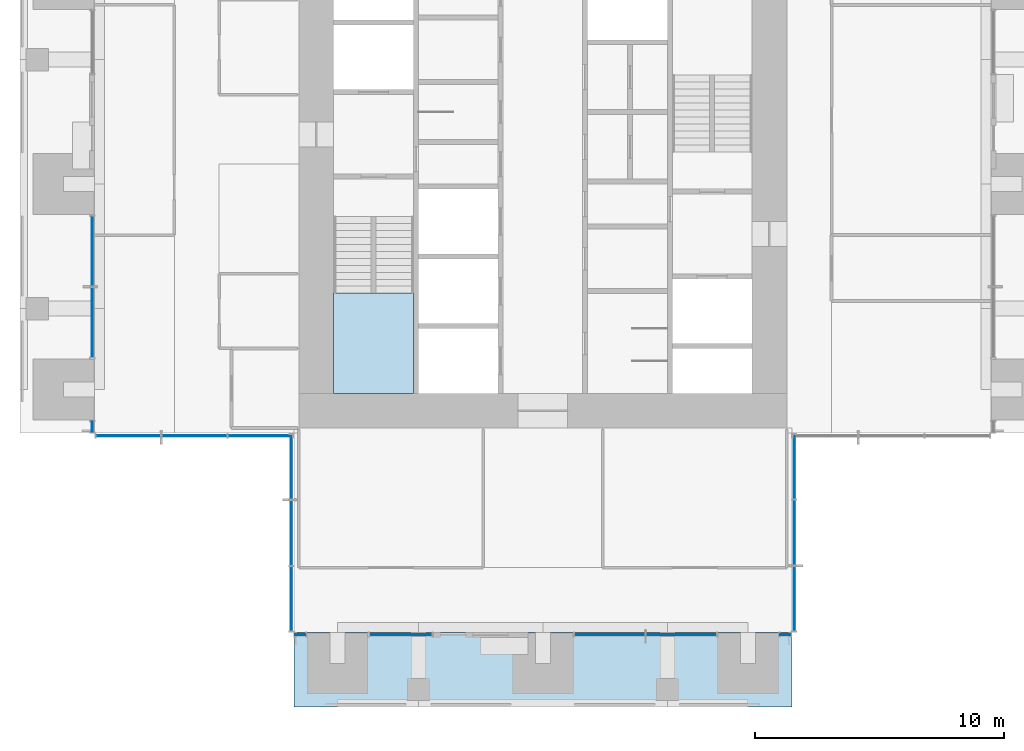
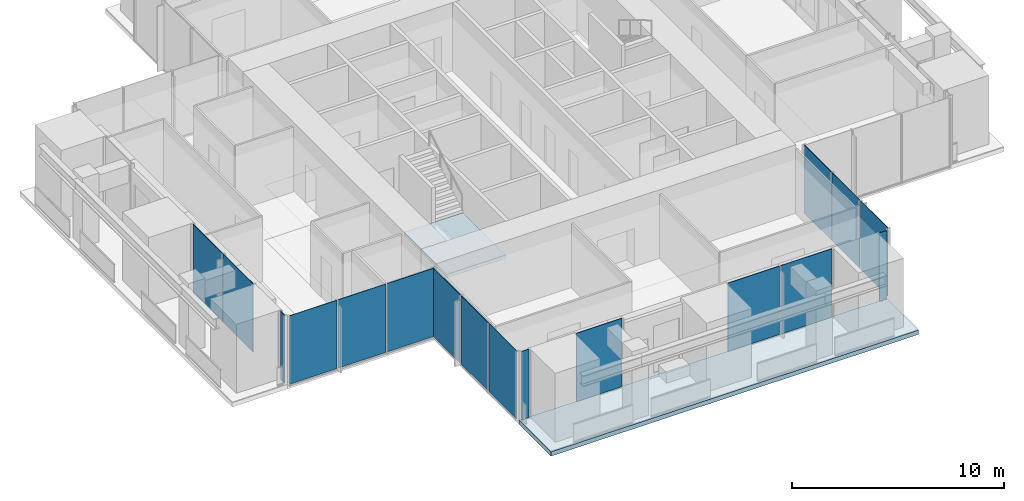
# One storey, part 7 of 17: 17 plates, 2 slabs, 10 elements without a shape of their own.
"""IFC4 building model written with IfcOpenShell, lengths in metres."""

from ifc_helpers import new_model, si_unit, direction, frame, origin, origin_2d, place, context, subcontext, project, spatial, polyline, rectangle, outline, extrude, material, layer, layer_set, type_object, element, aggregate, save


model = new_model("IFC4")

# Units and contexts
model_context = context("Model", 3, precision=1e-05, world=origin(), true_north=direction((0.0, 1.0)))
body_context = subcontext(model_context, "Body", "Model", "MODEL_VIEW")
ifc_project = project(units=[si_unit("LENGTHUNIT", "METRE"), si_unit("AREAUNIT", "SQUARE_METRE"), si_unit("VOLUMEUNIT", "CUBIC_METRE"), si_unit("PLANEANGLEUNIT", "RADIAN"), si_unit("MASSUNIT", "GRAM", prefix="KILO")], contexts=[model_context])

# Site, building, storey
site_placement = place(None, origin())
site = spatial("IfcSite", under=ifc_project, at=site_placement, CompositionType="ELEMENT")
building_placement = place(site_placement, origin())
building = spatial("IfcBuilding", under=site, at=building_placement, Name="Svetlomir Tower", CompositionType="ELEMENT")
storey_placement = place(building_placement, frame((0.0, 0.0, 214.5)))
storey = spatial("IfcBuildingStorey", under=building, at=storey_placement, Name="L51", CompositionType="ELEMENT", Elevation=214.5)

# Curtain wall, plate
ifc_material_1 = material(Name="Bronze anodised aluminium curtain wall", Category="aluminium")
curtain_wall_type = type_object("IfcCurtainWallType", Name="CURTAIN WALL CW1 TOWER OFFICE", PredefinedType="NOTDEFINED", material=ifc_material_1)
curtain_wall_1_placement = place(storey_placement, origin())
curtain_wall_1 = element("IfcCurtainWall", 1, at=curtain_wall_1_placement, inside=storey, type_object=curtain_wall_type, Name="Curtain wall CW1 L51", PredefinedType="NOTDEFINED")
ifc_material_2 = material(Name="Tinted double glazed unit", Category="glass")
ifc_layer_1 = layer(ifc_material_2, 0.031982421875)
ifc_layer_set_1 = layer_set([ifc_layer_1], Name="Tinted double glazed unit")
plate_type = type_object("IfcPlateType", Name="CW1 GLAZED PANEL 32", PredefinedType="CURTAIN_PANEL", material=ifc_layer_set_1)
plate_1_placement = place(storey_placement, frame((11.262451171875, 2.89990234375, 0.06494140625), z_axis=(0.0, 0.0, 1.0), x_axis=(1.0, 0.0, 0.0)))
plate_1 = element("IfcPlate", 2, at=plate_1_placement, type_object=plate_type, Name="CW1 panel 1.1", PredefinedType="CURTAIN_PANEL", context=body_context, shape_type="SweptSolid", body=[
    extrude(rectangle(XDim=0.39501953125, YDim=0.031982421875, at=origin_2d()), origin(), (0.0, 0.0, 1.0), 3.93505859375),
])
aggregate(curtain_wall_1, [plate_1])

curtain_wall_2_placement = place(storey_placement, origin())
curtain_wall_2 = element("IfcCurtainWall", 3, at=curtain_wall_2_placement, inside=storey, type_object=curtain_wall_type, Name="Curtain wall CW1 L51", PredefinedType="NOTDEFINED")
plate_2_placement = place(storey_placement, frame((15.28759765625, 2.89990234375, 0.06494140625), z_axis=(0.0, 0.0, 1.0), x_axis=(1.0, 0.0, 0.0)))
plate_2 = element("IfcPlate", 4, at=plate_2_placement, type_object=plate_type, Name="CW1 panel 1.1", PredefinedType="CURTAIN_PANEL", context=body_context, shape_type="SweptSolid", body=[
    extrude(rectangle(XDim=2.4951171875, YDim=0.031982421875, at=origin_2d()), origin(), (0.0, 0.0, 1.0), 3.93505859375),
])
aggregate(curtain_wall_2, [plate_2])

# Curtain wall, plates
curtain_wall_3_placement = place(storey_placement, origin())
curtain_wall_3 = element("IfcCurtainWall", 5, at=curtain_wall_3_placement, inside=storey, type_object=curtain_wall_type, Name="Curtain wall CW1 L51", PredefinedType="NOTDEFINED")
plate_3_placement = place(storey_placement, frame((23.691162109375, 2.89990234375, 0.06494140625), z_axis=(0.0, 0.0, 1.0), x_axis=(1.0, 0.0, 0.0)))
plate_3 = element("IfcPlate", 6, at=plate_3_placement, type_object=plate_type, Name="CW1 panel 1.1", PredefinedType="CURTAIN_PANEL", context=body_context, shape_type="SweptSolid", body=[
    extrude(rectangle(XDim=2.802490234375, YDim=0.031982421875, at=origin_2d()), origin(), (0.0, 0.0, 1.0), 3.93505859375),
])
plate_4_placement = place(storey_placement, frame((26.558837890625, 2.89990234375, 0.06494140625), z_axis=(0.0, 0.0, 1.0), x_axis=(1.0, 0.0, 0.0)))
plate_4 = element("IfcPlate", 7, at=plate_4_placement, type_object=plate_type, Name="CW1 panel 2.1", PredefinedType="CURTAIN_PANEL", context=body_context, shape_type="SweptSolid", body=[
    extrude(rectangle(XDim=2.802490234375, YDim=0.031982421875, at=origin_2d()), origin(), (0.0, 0.0, 1.0), 3.93505859375),
])
aggregate(curtain_wall_3, [plate_3, plate_4])

# Curtain wall, plate
curtain_wall_4_placement = place(storey_placement, origin())
curtain_wall_4 = element("IfcCurtainWall", 8, at=curtain_wall_4_placement, inside=storey, type_object=curtain_wall_type, Name="Curtain wall CW1 L51", PredefinedType="NOTDEFINED")
plate_5_placement = place(storey_placement, frame((30.737548828125, 2.89990234375, 0.06494140625), z_axis=(0.0, 0.0, 1.0), x_axis=(1.0, 0.0, 0.0)))
plate_5 = element("IfcPlate", 9, at=plate_5_placement, type_object=plate_type, Name="CW1 panel 1.1", PredefinedType="CURTAIN_PANEL", context=body_context, shape_type="SweptSolid", body=[
    extrude(rectangle(XDim=0.39501953125, YDim=0.031982421875, at=origin_2d()), origin(), (0.0, 0.0, 1.0), 3.93505859375),
])
aggregate(curtain_wall_4, [plate_5])

# Curtain wall, plates
curtain_wall_5_placement = place(storey_placement, origin())
curtain_wall_5 = element("IfcCurtainWall", 10, at=curtain_wall_5_placement, inside=storey, type_object=curtain_wall_type, Name="Curtain wall CW1 L51", PredefinedType="NOTDEFINED")
plate_6_placement = place(storey_placement, frame((31.10009765625, 4.349609375, 0.06494140625), z_axis=(0.0, 0.0, 1.0), x_axis=(0.0, 1.0, 0.0)))
plate_6 = element("IfcPlate", 11, at=plate_6_placement, type_object=plate_type, Name="CW1 panel 1.1", PredefinedType="CURTAIN_PANEL", context=body_context, shape_type="SweptSolid", body=[
    extrude(rectangle(XDim=2.569091796875, YDim=0.031982421875, at=origin_2d()), origin(), (0.0, 0.0, 1.0), 3.93505859375),
])
plate_7_placement = place(storey_placement, frame((31.10009765625, 7.0, 0.06494140625), z_axis=(0.0, 0.0, 1.0), x_axis=(0.0, 1.0, 0.0)))
plate_7 = element("IfcPlate", 12, at=plate_7_placement, type_object=plate_type, Name="CW1 panel 2.1", PredefinedType="CURTAIN_PANEL", context=body_context, shape_type="SweptSolid", body=[
    extrude(rectangle(XDim=2.6015625, YDim=0.031982421875, at=origin_2d()), origin(), (0.0, 0.0, 1.0), 3.93505859375),
])
plate_8_placement = place(storey_placement, frame((31.10009765625, 9.650390625, 0.06494140625), z_axis=(0.0, 0.0, 1.0), x_axis=(0.0, 1.0, 0.0)))
plate_8 = element("IfcPlate", 13, at=plate_8_placement, type_object=plate_type, Name="CW1 panel 3.1", PredefinedType="CURTAIN_PANEL", context=body_context, shape_type="SweptSolid", body=[
    extrude(rectangle(XDim=2.569091796875, YDim=0.031982421875, at=origin_2d()), origin(), (0.0, 0.0, 1.0), 3.93505859375),
])
aggregate(curtain_wall_5, [plate_6, plate_7, plate_8])

curtain_wall_6_placement = place(storey_placement, origin())
curtain_wall_6 = element("IfcCurtainWall", 14, at=curtain_wall_6_placement, inside=storey, type_object=curtain_wall_type, Name="Curtain wall CW1 L51", PredefinedType="NOTDEFINED")
plate_9_placement = place(storey_placement, frame((2.89990234375, 18.308837890625, 0.06494140625), z_axis=(0.0, 0.0, 1.0), x_axis=(0.0, -1.0, 0.0)))
plate_9 = element("IfcPlate", 15, at=plate_9_placement, type_object=plate_type, Name="CW1 panel 1.1", PredefinedType="CURTAIN_PANEL", context=body_context, shape_type="SweptSolid", body=[
    extrude(rectangle(XDim=2.802490234375, YDim=0.031982421875, at=origin_2d()), origin(), (0.0, 0.0, 1.0), 3.93505859375),
])
plate_10_placement = place(storey_placement, frame((2.89990234375, 15.441162109375, 0.06494140625), z_axis=(0.0, 0.0, 1.0), x_axis=(0.0, -1.0, 0.0)))
plate_10 = element("IfcPlate", 16, at=plate_10_placement, type_object=plate_type, Name="CW1 panel 2.1", PredefinedType="CURTAIN_PANEL", context=body_context, shape_type="SweptSolid", body=[
    extrude(rectangle(XDim=2.802490234375, YDim=0.031982421875, at=origin_2d()), origin(), (0.0, 0.0, 1.0), 3.93505859375),
])
aggregate(curtain_wall_6, [plate_9, plate_10])

# Curtain wall, plate
curtain_wall_7_placement = place(storey_placement, origin())
curtain_wall_7 = element("IfcCurtainWall", 17, at=curtain_wall_7_placement, inside=storey, type_object=curtain_wall_type, Name="Curtain wall CW1 L51", PredefinedType="NOTDEFINED")
plate_11_placement = place(storey_placement, frame((2.89990234375, 11.262451171875, 0.06494140625), z_axis=(0.0, 0.0, 1.0), x_axis=(0.0, -1.0, 0.0)))
plate_11 = element("IfcPlate", 18, at=plate_11_placement, type_object=plate_type, Name="CW1 panel 1.1", PredefinedType="CURTAIN_PANEL", context=body_context, shape_type="SweptSolid", body=[
    extrude(rectangle(XDim=0.39501953125, YDim=0.031982421875, at=origin_2d()), origin(), (0.0, 0.0, 1.0), 3.93505859375),
])
aggregate(curtain_wall_7, [plate_11])

# Curtain wall, plates
curtain_wall_8_placement = place(storey_placement, origin())
curtain_wall_8 = element("IfcCurtainWall", 19, at=curtain_wall_8_placement, inside=storey, type_object=curtain_wall_type, Name="Curtain wall CW1 L51", PredefinedType="NOTDEFINED")
plate_12_placement = place(storey_placement, frame((4.349609375, 10.89990234375, 0.06494140625), z_axis=(0.0, 0.0, 1.0), x_axis=(1.0, 0.0, 0.0)))
plate_12 = element("IfcPlate", 20, at=plate_12_placement, type_object=plate_type, Name="CW1 panel 1.1", PredefinedType="CURTAIN_PANEL", context=body_context, shape_type="SweptSolid", body=[
    extrude(rectangle(XDim=2.569091796875, YDim=0.031982421875, at=origin_2d()), origin(), (0.0, 0.0, 1.0), 3.93505859375),
])
plate_13_placement = place(storey_placement, frame((7.0, 10.89990234375, 0.06494140625), z_axis=(0.0, 0.0, 1.0), x_axis=(1.0, 0.0, 0.0)))
plate_13 = element("IfcPlate", 21, at=plate_13_placement, type_object=plate_type, Name="CW1 panel 2.1", PredefinedType="CURTAIN_PANEL", context=body_context, shape_type="SweptSolid", body=[
    extrude(rectangle(XDim=2.6015625, YDim=0.031982421875, at=origin_2d()), origin(), (0.0, 0.0, 1.0), 3.93505859375),
])
plate_14_placement = place(storey_placement, frame((9.650390625, 10.89990234375, 0.06494140625), z_axis=(0.0, 0.0, 1.0), x_axis=(1.0, 0.0, 0.0)))
plate_14 = element("IfcPlate", 22, at=plate_14_placement, type_object=plate_type, Name="CW1 panel 3.1", PredefinedType="CURTAIN_PANEL", context=body_context, shape_type="SweptSolid", body=[
    extrude(rectangle(XDim=2.569091796875, YDim=0.031982421875, at=origin_2d()), origin(), (0.0, 0.0, 1.0), 3.93505859375),
])
aggregate(curtain_wall_8, [plate_12, plate_13, plate_14])

curtain_wall_9_placement = place(storey_placement, origin())
curtain_wall_9 = element("IfcCurtainWall", 23, at=curtain_wall_9_placement, inside=storey, type_object=curtain_wall_type, Name="Curtain wall CW1 L51", PredefinedType="NOTDEFINED")
plate_15_placement = place(storey_placement, frame((10.89990234375, 9.650390625, 0.06494140625), z_axis=(0.0, 0.0, 1.0), x_axis=(0.0, -1.0, 0.0)))
plate_15 = element("IfcPlate", 24, at=plate_15_placement, type_object=plate_type, Name="CW1 panel 1.1", PredefinedType="CURTAIN_PANEL", context=body_context, shape_type="SweptSolid", body=[
    extrude(rectangle(XDim=2.569091796875, YDim=0.031982421875, at=origin_2d()), origin(), (0.0, 0.0, 1.0), 3.93505859375),
])
plate_16_placement = place(storey_placement, frame((10.89990234375, 7.0, 0.06494140625), z_axis=(0.0, 0.0, 1.0), x_axis=(0.0, -1.0, 0.0)))
plate_16 = element("IfcPlate", 25, at=plate_16_placement, type_object=plate_type, Name="CW1 panel 2.1", PredefinedType="CURTAIN_PANEL", context=body_context, shape_type="SweptSolid", body=[
    extrude(rectangle(XDim=2.6015625, YDim=0.031982421875, at=origin_2d()), origin(), (0.0, 0.0, 1.0), 3.93505859375),
])
plate_17_placement = place(storey_placement, frame((10.89990234375, 4.349609375, 0.06494140625), z_axis=(0.0, 0.0, 1.0), x_axis=(0.0, -1.0, 0.0)))
plate_17 = element("IfcPlate", 26, at=plate_17_placement, type_object=plate_type, Name="CW1 panel 3.1", PredefinedType="CURTAIN_PANEL", context=body_context, shape_type="SweptSolid", body=[
    extrude(rectangle(XDim=2.569091796875, YDim=0.031982421875, at=origin_2d()), origin(), (0.0, 0.0, 1.0), 3.93505859375),
])
aggregate(curtain_wall_9, [plate_15, plate_16, plate_17])

# Slab
ifc_material_3 = material(Name="Concrete C60/75", Category="concrete")
ifc_layer_2 = layer(ifc_material_3, 0.25)
ifc_layer_set_2 = layer_set([ifc_layer_2], Name="Concrete C60/75")
slab_type_1 = type_object("IfcSlabType", Name="PLANTED LOGGIA SLAB 250", PredefinedType="FLOOR", material=ifc_layer_set_2)
slab_1_placement = place(storey_placement, frame((0.0, 0.0, -0.25)))
element("IfcSlab", 27, at=slab_1_placement, inside=storey, type_object=slab_type_1, Name="L51 S planted loggia", PredefinedType="FLOOR", context=body_context, shape_type="SweptSolid", body=[
    extrude(outline(polyline([(11.0, 0.0), (31.0, 0.0), (31.0, 3.0), (11.0, 3.0), (11.0, 0.0)])), origin(), (0.0, 0.0, 1.0), 0.25),
])

# Stair, slab
ifc_material_4 = material(Name="Concrete C60/75", Category="concrete")
stair_type = type_object("IfcStairType", Name="EXIT STAIR 3200 RISE 4000", PredefinedType="HALF_TURN_STAIR", material=ifc_material_4)
stair_placement = place(storey_placement, origin())
stair = element("IfcStair", 28, at=stair_placement, inside=storey, type_object=stair_type, Name="Stair S1 L51 to L52", PredefinedType="HALF_TURN_STAIR")
ifc_material_5 = material(Name="Concrete C60/75", Category="concrete")
ifc_layer_3 = layer(ifc_material_5, 0.199951171875)
ifc_layer_set_3 = layer_set([ifc_layer_3], Name="Concrete C60/75")
slab_type_2 = type_object("IfcSlabType", Name="STAIR LANDING 200", PredefinedType="LANDING", material=ifc_layer_set_3)
slab_2_placement = place(storey_placement, frame((0.0, 0.0, 1.800048828125)))
slab_2 = element("IfcSlab", 29, at=slab_2_placement, type_object=slab_type_2, Name="S1 landing 1", PredefinedType="LANDING", context=body_context, shape_type="SweptSolid", body=[
    extrude(outline(polyline([(12.60009765625, 12.60009765625), (15.800048828125, 12.60009765625), (15.800048828125, 16.6201171875), (12.60009765625, 16.6201171875), (12.60009765625, 12.60009765625)])), origin(), (0.0, 0.0, 1.0), 0.199951171875),
])
aggregate(stair, [slab_2])

save(model, "model.ifc")
